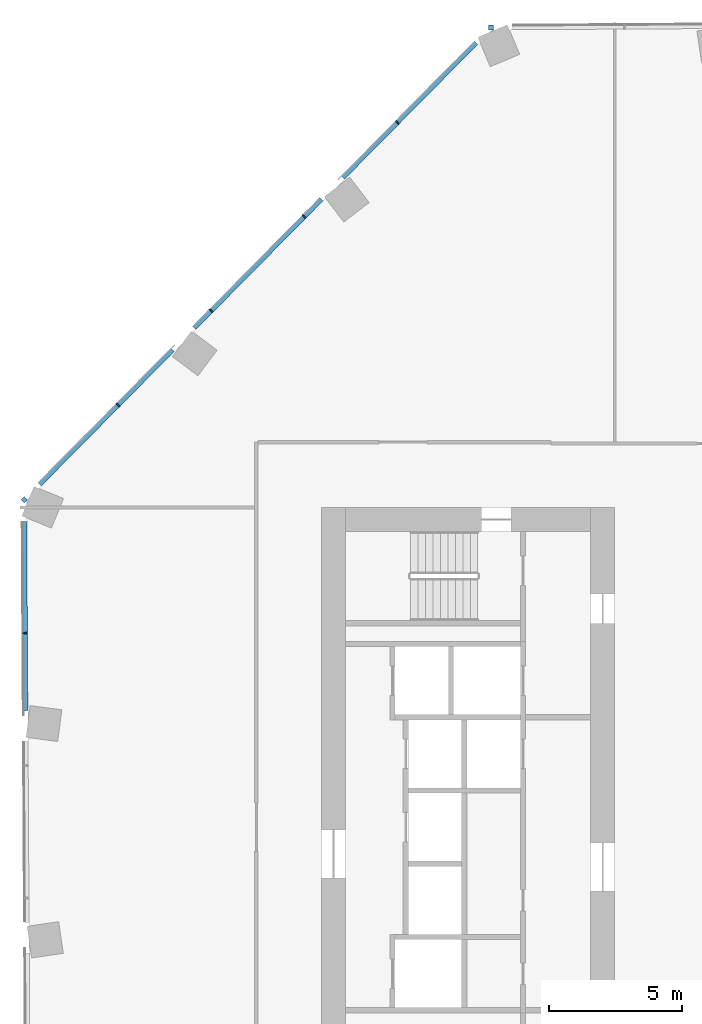
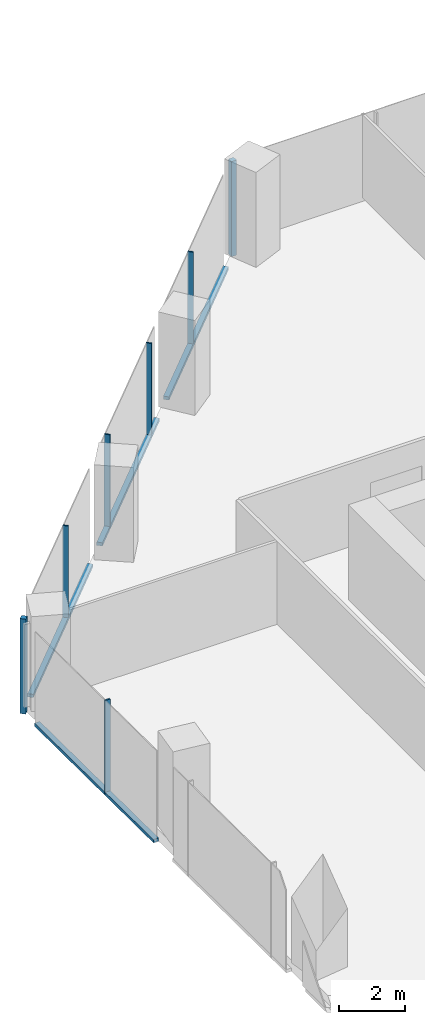
# One storey, part 9 of 27: 11 members, 3 elements without a shape of their own.
"""IFC4 building model written with IfcOpenShell, lengths in metres."""

from ifc_helpers import new_model, si_unit, direction, frame, origin, origin_2d, place, context, subcontext, project, spatial, rectangle, extrude, material, material_profile, profile_set, type_object, element, aggregate, save


model = new_model("IFC4")

# Units and contexts
model_context = context("Model", 3, precision=1e-05, world=origin(), true_north=direction((0.0, 1.0)))
body_context = subcontext(model_context, "Body", "Model", "MODEL_VIEW")
ifc_project = project(units=[si_unit("LENGTHUNIT", "METRE"), si_unit("AREAUNIT", "SQUARE_METRE"), si_unit("VOLUMEUNIT", "CUBIC_METRE"), si_unit("PLANEANGLEUNIT", "RADIAN"), si_unit("MASSUNIT", "GRAM", prefix="KILO")], contexts=[model_context])

# Site, building, storey
site_placement = place(None, origin())
site = spatial("IfcSite", under=ifc_project, at=site_placement, CompositionType="ELEMENT")
building_placement = place(site_placement, origin())
building = spatial("IfcBuilding", under=site, at=building_placement, Name="Orlundy Tower", CompositionType="ELEMENT")
storey_placement = place(building_placement, frame((0.0, 0.0, 192.10009765625)))
storey = spatial("IfcBuildingStorey", under=building, at=storey_placement, Name="L50", CompositionType="ELEMENT", Elevation=192.10009765625)

# Curtain wall, member
ifc_material_1 = material(Name="Aluminium bronze anodised", Category="aluminium")
curtain_wall_type = type_object("IfcCurtainWallType", Name="CW1 wall", PredefinedType="NOTDEFINED", material=ifc_material_1)
curtain_wall_1_placement = place(storey_placement, origin())
curtain_wall_1 = element("IfcCurtainWall", 1, at=curtain_wall_1_placement, inside=storey, type_object=curtain_wall_type, Name="CW1 run 03", PredefinedType="NOTDEFINED")
ifc_material_2 = material(Name="Aluminium bronze anodised", Category="aluminium")
ifc_material_profile_1 = material_profile(ifc_material_2, rectangle(XDim=0.179931640625, YDim=0.179931640625, at=origin_2d()), Name="CW1 corner post 180x180")
ifc_profile_set_1 = profile_set([ifc_material_profile_1], Name="Aluminium bronze anodised")
member_type_1 = type_object("IfcMemberType", Name="CW1 corner post 180x180", PredefinedType="MULLION", material=ifc_profile_set_1)
member_1_placement = place(storey_placement, frame((-30.162109375, 12.288818359375, -0.420166015625), z_axis=(0.0, 0.0, 1.0), x_axis=(-0.711199102506, 0.702990637629, 0.0)))
member_1 = element("IfcMember", 2, at=member_1_placement, type_object=member_type_1, Name="CW1 mullion 14", PredefinedType="MULLION", context=body_context, shape_type="SweptSolid", body=[
    extrude(rectangle(XDim=0.179931640625, YDim=0.179931640625, at=origin_2d()), origin(), (0.0, 0.0, 1.0), 3.5),
])

curtain_wall_2_placement = place(storey_placement, origin())
curtain_wall_2 = element("IfcCurtainWall", 3, at=curtain_wall_2_placement, inside=storey, type_object=curtain_wall_type, Name="CW1 run 04", PredefinedType="NOTDEFINED")
member_2_placement = place(storey_placement, frame((-12.638916015625, 30.016845703125, -0.420166015625), z_axis=(0.0, 0.0, 1.0), x_axis=(-0.005834206419, 0.999982980873, 0.0)))
member_2 = element("IfcMember", 4, at=member_2_placement, type_object=member_type_1, Name="CW1 mullion 19", PredefinedType="MULLION", context=body_context, shape_type="SweptSolid", body=[
    extrude(rectangle(XDim=0.179931640625, YDim=0.179931640625, at=origin_2d()), origin(), (0.0, 0.0, 1.0), 3.5),
])
aggregate(curtain_wall_2, [member_2])

curtain_wall_3_placement = place(storey_placement, origin())
curtain_wall_3 = element("IfcCurtainWall", 5, at=curtain_wall_3_placement, inside=storey, type_object=curtain_wall_type, Name="CW1 run 02", PredefinedType="NOTDEFINED")
ifc_material_3 = material(Name="Aluminium bronze anodised", Category="aluminium")
ifc_material_profile_2 = material_profile(ifc_material_3, rectangle(XDim=0.179931640625, YDim=0.050048828125, at=origin_2d()), Name="CW1 mullion 50x180")
ifc_profile_set_2 = profile_set([ifc_material_profile_2], Name="Aluminium bronze anodised")
member_type_2 = type_object("IfcMemberType", Name="CW1 mullion 50x180", PredefinedType="MULLION", material=ifc_profile_set_2)
member_3_placement = place(storey_placement, frame((-30.133056640625, 7.28076171875, -0.420166015625), z_axis=(0.0, 0.0, 1.0), x_axis=(-0.999982980873, -0.005834206419, 0.0)))
member_3 = element("IfcMember", 6, at=member_3_placement, type_object=member_type_2, Name="CW1 mullion 13", PredefinedType="MULLION", context=body_context, shape_type="SweptSolid", body=[
    extrude(rectangle(XDim=0.179931640625, YDim=0.050048828125, at=origin_2d()), origin(), (0.0, 0.0, 1.0), 3.5),
])

# Member
member_4_placement = place(storey_placement, frame((-26.641845703125, 15.850341796875, -0.420166015625), z_axis=(0.0, 0.0, 1.0), x_axis=(-0.711199102506, 0.702990637629, 0.0)))
member_4 = element("IfcMember", 7, at=member_4_placement, type_object=member_type_2, Name="CW1 mullion 15", PredefinedType="MULLION", context=body_context, shape_type="SweptSolid", body=[
    extrude(rectangle(XDim=0.179931640625, YDim=0.050048828125, at=origin_2d()), origin(), (0.0, 0.0, 1.0), 3.5),
])

member_5_placement = place(storey_placement, frame((-23.147705078125, 19.38525390625, -0.420166015625), z_axis=(0.0, 0.0, 1.0), x_axis=(-0.711199102506, 0.702990637629, 0.0)))
member_5 = element("IfcMember", 8, at=member_5_placement, type_object=member_type_2, Name="CW1 mullion 16", PredefinedType="MULLION", context=body_context, shape_type="SweptSolid", body=[
    extrude(rectangle(XDim=0.179931640625, YDim=0.050048828125, at=origin_2d()), origin(), (0.0, 0.0, 1.0), 3.5),
])

member_6_placement = place(storey_placement, frame((-19.6533203125, 22.920166015625, -0.420166015625), z_axis=(0.0, 0.0, 1.0), x_axis=(-0.711199102506, 0.702990637629, 0.0)))
member_6 = element("IfcMember", 9, at=member_6_placement, type_object=member_type_2, Name="CW1 mullion 17", PredefinedType="MULLION", context=body_context, shape_type="SweptSolid", body=[
    extrude(rectangle(XDim=0.179931640625, YDim=0.050048828125, at=origin_2d()), origin(), (0.0, 0.0, 1.0), 3.5),
])

member_7_placement = place(storey_placement, frame((-16.1591796875, 26.455322265625, -0.420166015625), z_axis=(0.0, 0.0, 1.0), x_axis=(-0.711199102506, 0.702990637629, 0.0)))
member_7 = element("IfcMember", 10, at=member_7_placement, type_object=member_type_2, Name="CW1 mullion 18", PredefinedType="MULLION", context=body_context, shape_type="SweptSolid", body=[
    extrude(rectangle(XDim=0.179931640625, YDim=0.050048828125, at=origin_2d()), origin(), (0.0, 0.0, 1.0), 3.5),
])

ifc_material_4 = material(Name="Aluminium bronze anodised", Category="aluminium")
ifc_material_profile_3 = material_profile(ifc_material_4, rectangle(XDim=0.179931640625, YDim=0.1201171875, at=origin_2d()), Name="CW1 transom 180x120")
ifc_profile_set_3 = profile_set([ifc_material_profile_3], Name="Aluminium bronze anodised")
member_type_3 = type_object("IfcMemberType", Name="CW1 transom 180x120", PredefinedType="USERDEFINED", material=ifc_profile_set_3)
member_8_placement = place(storey_placement, frame((-30.115966796875, 4.36865234375, -0.360107421875), z_axis=(-0.005838414073, 0.999982956315, 0.0), x_axis=(-0.999982956315, -0.005838414073, 0.0)))
member_8 = element("IfcMember", 11, at=member_8_placement, type_object=member_type_3, Name="CW1 transom", ObjectType="TRANSOM", PredefinedType="USERDEFINED", context=body_context, shape_type="SweptSolid", body=[
    extrude(rectangle(XDim=0.179931640625, YDim=0.1201171875, at=origin_2d()), origin(), (0.0, 0.0, 1.0), 7.108642578125),
])

aggregate(curtain_wall_3, [member_3, member_8])

member_9_placement = place(storey_placement, frame((-29.59130859375, 12.8662109375, -0.360107421875), z_axis=(0.702972766617, 0.711216766812, 0.0), x_axis=(-0.711216766812, 0.702972766617, 0.0)))
member_9 = element("IfcMember", 12, at=member_9_placement, type_object=member_type_3, Name="CW1 transom", ObjectType="TRANSOM", PredefinedType="USERDEFINED", context=body_context, shape_type="SweptSolid", body=[
    extrude(rectangle(XDim=0.179931640625, YDim=0.1201171875, at=origin_2d()), origin(), (0.0, 0.0, 1.0), 7.107421875),
])

member_10_placement = place(storey_placement, frame((-23.78857421875, 18.73681640625, -0.360107421875), z_axis=(0.70298076766, 0.711208858424, 0.0), x_axis=(-0.711208858424, 0.70298076766, 0.0)))
member_10 = element("IfcMember", 13, at=member_10_placement, type_object=member_type_3, Name="CW1 transom", ObjectType="TRANSOM", PredefinedType="USERDEFINED", context=body_context, shape_type="SweptSolid", body=[
    extrude(rectangle(XDim=0.179931640625, YDim=0.1201171875, at=origin_2d()), origin(), (0.0, 0.0, 1.0), 6.794677734375),
])

member_11_placement = place(storey_placement, frame((-18.2041015625, 24.386474609375, -0.360107421875), z_axis=(0.702988736898, 0.711200981295, 0.0), x_axis=(-0.711200981295, 0.702988736898, 0.0)))
member_11 = element("IfcMember", 14, at=member_11_placement, type_object=member_type_3, Name="CW1 transom", ObjectType="TRANSOM", PredefinedType="USERDEFINED", context=body_context, shape_type="SweptSolid", body=[
    extrude(rectangle(XDim=0.179931640625, YDim=0.1201171875, at=origin_2d()), origin(), (0.0, 0.0, 1.0), 7.105224609375),
])

aggregate(curtain_wall_1, [member_1, member_4, member_5, member_6, member_7, member_9, member_10, member_11])

save(model, "model.ifc")
